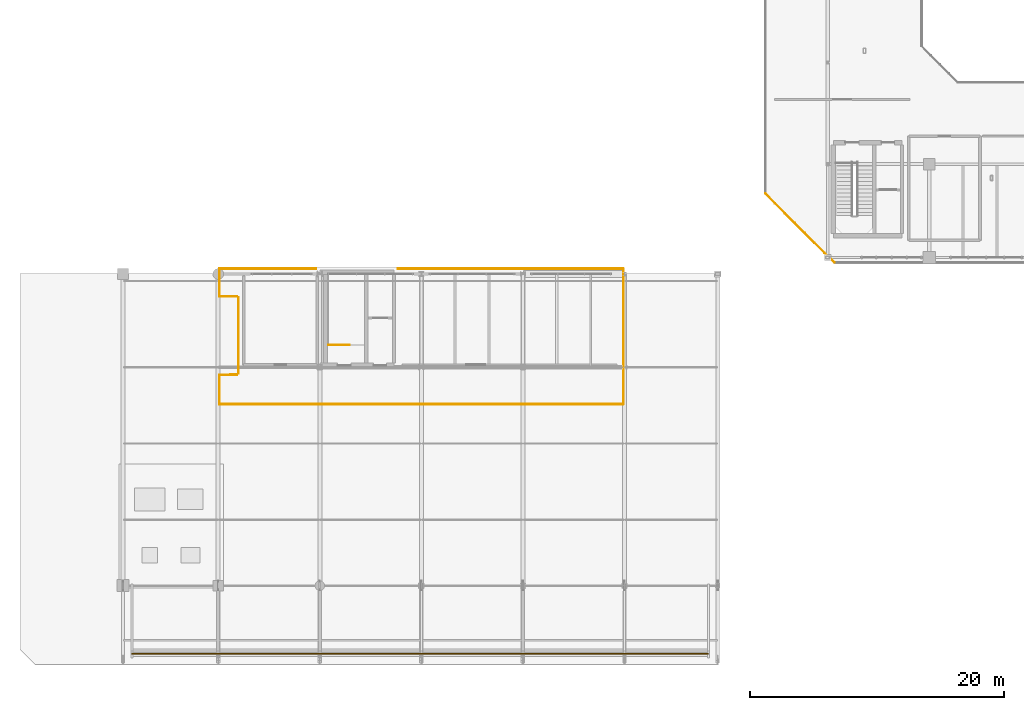
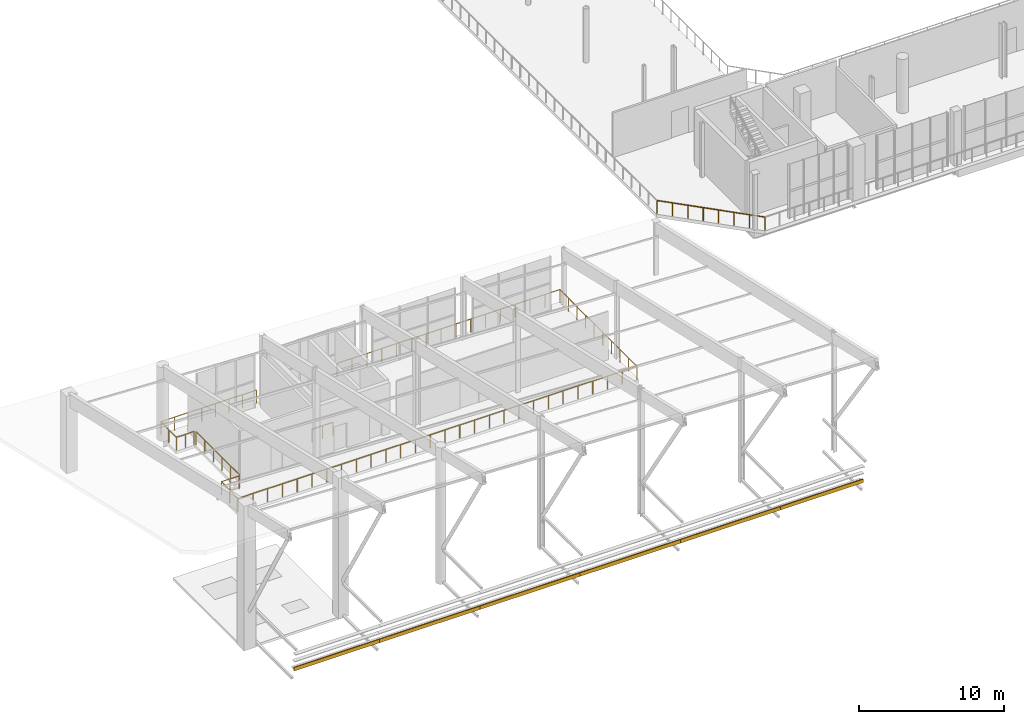
# One storey, part 45 of 51: 11 railings, 6 coverings.
"""IFC4 building model written with IfcOpenShell, lengths in metres."""

from ifc_helpers import new_model, si_unit, direction, frame, origin, origin_2d, place, context, subcontext, project, spatial, rectangle, circle, extrude, material, layer, layer_set, type_object, element, save


model = new_model("IFC4")

# Units and contexts
model_context = context("Model", 3, precision=1e-05, world=origin(), true_north=direction((0.0, 1.0)))
body_context = subcontext(model_context, "Body", "Model", "MODEL_VIEW")
ifc_project = project(units=[si_unit("LENGTHUNIT", "METRE"), si_unit("AREAUNIT", "SQUARE_METRE"), si_unit("VOLUMEUNIT", "CUBIC_METRE"), si_unit("PLANEANGLEUNIT", "RADIAN"), si_unit("MASSUNIT", "GRAM", prefix="KILO")], contexts=[model_context])

# Site, building, storey
site_placement = place(None, origin())
site = spatial("IfcSite", under=ifc_project, at=site_placement, CompositionType="ELEMENT")
building_placement = place(site_placement, origin())
building = spatial("IfcBuilding", under=site, at=building_placement, Name="Brisemont Oceanarium", CompositionType="ELEMENT")
storey_placement = place(building_placement, frame((0.0, 0.0, 15.0)))
storey = spatial("IfcBuildingStorey", under=building, at=storey_placement, Name="L03", CompositionType="ELEMENT", Elevation=15.0)

# Coverings
ifc_material_1 = material(Name="Architectural Bronze-Anodized Cedar Composite")
ifc_layer = layer(ifc_material_1, 0.044921875)
ifc_layer_set = layer_set([ifc_layer], Name="Architectural Bronze-Anodized Cedar Composite")
covering_type = type_object("IfcCoveringType", Name="COV-CLAD-CEDAR", PredefinedType="CLADDING", material=ifc_layer_set)
covering_1_placement = place(storey_placement, frame((12.60009765625, 1.4501953125, 0.8798828125), z_axis=(0.0, 0.0, 1.0), x_axis=(1.0, 0.0, 0.0)))
element("IfcCovering", 1, at=covering_1_placement, inside=storey, type_object=covering_type, Name="V2 stepped spandrel cladding course 6.1", PredefinedType="CLADDING", context=body_context, shape_type="SweptSolid", body=[
    extrude(rectangle(XDim=6.800048828125, YDim=0.080078125, at=origin_2d()), origin(), (0.0, 0.0, 1.0), 0.300048828125),
])
for number, where, z_axis, x_axis, name in (
    (2, (20.0, 1.4501953125, 0.8798828125), (0.0, 0.0, 1.0), (1.0, 0.0, 0.0), "V2 stepped spandrel cladding course 6.2"),
    (3, (28.0, 1.4501953125, 0.8798828125), (0.0, 0.0, 1.0), (1.0, 0.0, 0.0), "V2 stepped spandrel cladding course 6.3"),
    (4, (36.0, 1.4501953125, 0.8798828125), (0.0, 0.0, 1.0), (1.0, 0.0, 0.0), "V2 stepped spandrel cladding course 6.4"),
    (5, (44.0, 1.4501953125, 0.8798828125), (0.0, 0.0, 1.0), (1.0, 0.0, 0.0), "V2 stepped spandrel cladding course 6.5"),
):
    element("IfcCovering", number, at=place(storey_placement, frame(where, z_axis=z_axis, x_axis=x_axis)), inside=storey, type_object=covering_type, Name=name, PredefinedType="CLADDING", context=body_context, shape_type="SweptSolid", body=[
        extrude(rectangle(XDim=8.0, YDim=0.080078125, at=origin_2d()), origin(), (0.0, 0.0, 1.0), 0.300048828125),
    ])
covering_2_placement = place(storey_placement, frame((51.300048828125, 1.4501953125, 0.8798828125), z_axis=(0.0, 0.0, 1.0), x_axis=(1.0, 0.0, 0.0)))
element("IfcCovering", 6, at=covering_2_placement, inside=storey, type_object=covering_type, Name="V2 stepped spandrel cladding course 6.6", PredefinedType="CLADDING", context=body_context, shape_type="SweptSolid", body=[
    extrude(rectangle(XDim=6.60009765625, YDim=0.080078125, at=origin_2d()), origin(), (0.0, 0.0, 1.0), 0.300048828125),
])

# Railings
ifc_material_2 = material(Name="Duplex Stainless Steel EN 1.4462", Category="steel")
railing_type = type_object("IfcRailingType", Name="RLG-GUARD-1120", PredefinedType="GUARDRAIL", material=ifc_material_2)
railing_1_placement = place(storey_placement, frame((24.669921875, 25.760009765625, 0.0)))
element("IfcRailing", 7, at=railing_1_placement, inside=storey, type_object=railing_type, Name="ST-03 L03 landing edge guard", PredefinedType="GUARDRAIL", context=body_context, shape_type="SweptSolid", body=[
    extrude(circle(Radius=0.02392578125, at=origin_2d()), frame((0.0, 0.0, 1.09619140625), z_axis=(1.0, 0.0, 0.0), x_axis=(0.0, 1.0, 0.0)), (0.0, 0.0, 1.0), 1.68017578125),
    extrude(circle(Radius=0.02099609375, at=origin_2d()), origin(), (0.0, 0.0, 1.0), 1.072021484375),
    extrude(circle(Radius=0.02099609375, at=origin_2d()), frame((0.840087890625, 0.0, 0.0)), (0.0, 0.0, 1.0), 1.072021484375),
    extrude(circle(Radius=0.02099609375, at=origin_2d()), frame((1.68017578125, 0.0, 0.0)), (0.0, 0.0, 1.0), 1.072021484375),
])
railing_2_placement = place(storey_placement, frame((64.537353515625, 32.239990234375, 0.0)))
element("IfcRailing", 8, at=railing_2_placement, inside=storey, type_object=railing_type, Name="L03 slab perimeter safety guard 216", PredefinedType="GUARDRAIL", context=body_context, shape_type="SweptSolid", body=[
    extrude(circle(Radius=0.02392578125, at=origin_2d()), frame((0.0, 0.0, 1.09619140625), z_axis=(-0.707106781187, 0.707106781187, 0.0), x_axis=(-0.707106781187, -0.707106781187, 0.0)), (0.0, 0.0, 1.0), 7.70361328125),
    extrude(circle(Radius=0.02099609375, at=origin_2d()), origin(), (0.0, 0.0, 1.0), 1.072021484375),
    extrude(circle(Radius=0.02099609375, at=origin_2d()), frame((-0.778076171875, 0.778076171875, 0.0)), (0.0, 0.0, 1.0), 1.072021484375),
    extrude(circle(Radius=0.02099609375, at=origin_2d()), frame((-1.556396484375, 1.556396484375, 0.0)), (0.0, 0.0, 1.0), 1.072021484375),
    extrude(circle(Radius=0.02099609375, at=origin_2d()), frame((-2.33447265625, 2.33447265625, 0.0)), (0.0, 0.0, 1.0), 1.072021484375),
    extrude(circle(Radius=0.02099609375, at=origin_2d()), frame((-3.11279296875, 3.11279296875, 0.0)), (0.0, 0.0, 1.0), 1.072021484375),
    extrude(circle(Radius=0.02099609375, at=origin_2d()), frame((-3.890869140625, 3.890869140625, 0.0)), (0.0, 0.0, 1.0), 1.072021484375),
    extrude(circle(Radius=0.02099609375, at=origin_2d()), frame((-4.669189453125, 4.669189453125, 0.0)), (0.0, 0.0, 1.0), 1.072021484375),
    extrude(circle(Radius=0.02099609375, at=origin_2d()), frame((-5.447265625, 5.447265625, 0.0)), (0.0, 0.0, 1.0), 1.072021484375),
])
railing_3_placement = place(storey_placement, frame((16.090087890625, 21.090087890625, 0.0)))
element("IfcRailing", 9, at=railing_3_placement, inside=storey, type_object=railing_type, Name="L03 slab perimeter safety guard 225", PredefinedType="GUARDRAIL", context=body_context, shape_type="SweptSolid", body=[
    extrude(circle(Radius=0.02392578125, at=origin_2d()), frame((0.0, 0.0, 1.09619140625), z_axis=(0.0, 1.0, 0.0), x_axis=(-1.0, 0.0, 0.0)), (0.0, 0.0, 1.0), 2.3193359375),
    extrude(circle(Radius=0.02099609375, at=origin_2d()), origin(), (0.0, 0.0, 1.0), 1.072021484375),
    extrude(circle(Radius=0.02099609375, at=origin_2d()), frame((0.0, 1.15966796875, 0.0)), (0.0, 0.0, 1.0), 1.072021484375),
    extrude(circle(Radius=0.02099609375, at=origin_2d()), frame((0.0, 2.3193359375, 0.0)), (0.0, 0.0, 1.0), 1.072021484375),
])
railing_4_placement = place(storey_placement, frame((16.090087890625, 23.409423828125, 0.0)))
element("IfcRailing", 10, at=railing_4_placement, inside=storey, type_object=railing_type, Name="L03 slab perimeter safety guard 226", PredefinedType="GUARDRAIL", context=body_context, shape_type="SweptSolid", body=[
    extrude(circle(Radius=0.02392578125, at=origin_2d()), frame((0.0, 0.0, 1.09619140625), z_axis=(0.999999862415, 0.00052456716, 0.0), x_axis=(-0.00052456716, 0.999999862415, 0.0)), (0.0, 0.0, 1.0), 1.396240234375),
    extrude(circle(Radius=0.02099609375, at=origin_2d()), origin(), (0.0, 0.0, 1.0), 1.072021484375),
    extrude(circle(Radius=0.02099609375, at=origin_2d()), frame((0.6982421875, 0.00048828125, 0.0)), (0.0, 0.0, 1.0), 1.072021484375),
    extrude(circle(Radius=0.02099609375, at=origin_2d()), frame((1.396240234375, 0.000732421875, 0.0)), (0.0, 0.0, 1.0), 1.072021484375),
])
railing_5_placement = place(storey_placement, frame((17.590087890625, 23.52001953125, 0.0)))
element("IfcRailing", 11, at=railing_5_placement, inside=storey, type_object=railing_type, Name="L03 slab perimeter safety guard 227", PredefinedType="GUARDRAIL", context=body_context, shape_type="SweptSolid", body=[
    extrude(circle(Radius=0.02392578125, at=origin_2d()), frame((0.0, 0.0, 1.09619140625), z_axis=(-0.000245078009, 0.999999969968, 0.0), x_axis=(-0.999999969968, -0.000245078009, 0.0)), (0.0, 0.0, 1.0), 5.97705078125),
    extrude(circle(Radius=0.02099609375, at=origin_2d()), origin(), (0.0, 0.0, 1.0), 1.072021484375),
    extrude(circle(Radius=0.02099609375, at=origin_2d()), frame((-0.000244140625, 1.1953125, 0.0)), (0.0, 0.0, 1.0), 1.072021484375),
    extrude(circle(Radius=0.02099609375, at=origin_2d()), frame((-0.00048828125, 2.390869140625, 0.0)), (0.0, 0.0, 1.0), 1.072021484375),
    extrude(circle(Radius=0.02099609375, at=origin_2d()), frame((-0.0009765625, 3.586181640625, 0.0)), (0.0, 0.0, 1.0), 1.072021484375),
    extrude(circle(Radius=0.02099609375, at=origin_2d()), frame((-0.001220703125, 4.78173828125, 0.0)), (0.0, 0.0, 1.0), 1.072021484375),
    extrude(circle(Radius=0.02099609375, at=origin_2d()), frame((-0.00146484375, 5.97705078125, 0.0)), (0.0, 0.0, 1.0), 1.072021484375),
])
railing_6_placement = place(storey_placement, frame((17.486328125, 29.58984375, 0.0)))
element("IfcRailing", 12, at=railing_6_placement, inside=storey, type_object=railing_type, Name="L03 slab perimeter safety guard 228", PredefinedType="GUARDRAIL", context=body_context, shape_type="SweptSolid", body=[
    extrude(circle(Radius=0.02392578125, at=origin_2d()), frame((0.0, 0.0, 1.09619140625), z_axis=(-0.999999984702, 0.000174916912, 0.0), x_axis=(-0.000174916912, -0.999999984702, 0.0)), (0.0, 0.0, 1.0), 1.395751953125),
    extrude(circle(Radius=0.02099609375, at=origin_2d()), origin(), (0.0, 0.0, 1.0), 1.072021484375),
    extrude(circle(Radius=0.02099609375, at=origin_2d()), frame((-0.69775390625, 0.0, 0.0)), (0.0, 0.0, 1.0), 1.072021484375),
    extrude(circle(Radius=0.02099609375, at=origin_2d()), frame((-1.395751953125, 0.000244140625, 0.0)), (0.0, 0.0, 1.0), 1.072021484375),
])
railing_7_placement = place(storey_placement, frame((16.090576171875, 29.590087890625, 0.0)))
element("IfcRailing", 13, at=railing_7_placement, inside=storey, type_object=railing_type, Name="L03 slab perimeter safety guard 229", PredefinedType="GUARDRAIL", context=body_context, shape_type="SweptSolid", body=[
    extrude(circle(Radius=0.02392578125, at=origin_2d()), frame((0.0, 0.0, 1.09619140625), z_axis=(-0.000225073143, 0.999999974671, 0.0), x_axis=(-0.999999974671, -0.000225073143, 0.0)), (0.0, 0.0, 1.0), 2.16943359375),
    extrude(circle(Radius=0.02099609375, at=origin_2d()), origin(), (0.0, 0.0, 1.0), 1.072021484375),
    extrude(circle(Radius=0.02099609375, at=origin_2d()), frame((-0.000244140625, 1.084716796875, 0.0)), (0.0, 0.0, 1.0), 1.072021484375),
    extrude(circle(Radius=0.02099609375, at=origin_2d()), frame((-0.00048828125, 2.16943359375, 0.0)), (0.0, 0.0, 1.0), 1.072021484375),
])
railing_8_placement = place(storey_placement, frame((16.090087890625, 31.759521484375, 0.0)))
element("IfcRailing", 14, at=railing_8_placement, inside=storey, type_object=railing_type, Name="L03 slab perimeter safety guard 230", PredefinedType="GUARDRAIL", context=body_context, shape_type="SweptSolid", body=[
    extrude(circle(Radius=0.02392578125, at=origin_2d()), frame((0.0, 0.0, 1.09619140625), z_axis=(1.0, 0.0, 0.0), x_axis=(0.0, 1.0, 0.0)), (0.0, 0.0, 1.0), 7.61279296875),
    extrude(circle(Radius=0.02099609375, at=origin_2d()), origin(), (0.0, 0.0, 1.0), 1.072021484375),
    extrude(circle(Radius=0.02099609375, at=origin_2d()), frame((1.087646484375, 0.0, 0.0)), (0.0, 0.0, 1.0), 1.072021484375),
    extrude(circle(Radius=0.02099609375, at=origin_2d()), frame((2.175048828125, 0.0, 0.0)), (0.0, 0.0, 1.0), 1.072021484375),
    extrude(circle(Radius=0.02099609375, at=origin_2d()), frame((3.2626953125, 0.0, 0.0)), (0.0, 0.0, 1.0), 1.072021484375),
    extrude(circle(Radius=0.02099609375, at=origin_2d()), frame((4.35009765625, 0.0, 0.0)), (0.0, 0.0, 1.0), 1.072021484375),
    extrude(circle(Radius=0.02099609375, at=origin_2d()), frame((5.437744140625, 0.0, 0.0)), (0.0, 0.0, 1.0), 1.072021484375),
    extrude(circle(Radius=0.02099609375, at=origin_2d()), frame((6.525146484375, 0.0, 0.0)), (0.0, 0.0, 1.0), 1.072021484375),
    extrude(circle(Radius=0.02099609375, at=origin_2d()), frame((7.61279296875, 0.0, 0.0)), (0.0, 0.0, 1.0), 1.072021484375),
])
railing_9_placement = place(storey_placement, frame((30.14990234375, 31.759765625, 0.0)))
element("IfcRailing", 15, at=railing_9_placement, inside=storey, type_object=railing_type, Name="L03 slab perimeter safety guard 231", PredefinedType="GUARDRAIL", context=body_context, shape_type="SweptSolid", body=[
    extrude(circle(Radius=0.02392578125, at=origin_2d()), frame((0.0, 0.0, 1.09619140625), z_axis=(0.999999999906, 1.3747027e-05, 0.0), x_axis=(-1.3747027e-05, 0.999999999906, 0.0)), (0.0, 0.0, 1.0), 17.759521484375),
    extrude(circle(Radius=0.02099609375, at=origin_2d()), origin(), (0.0, 0.0, 1.0), 1.072021484375),
    extrude(circle(Radius=0.02099609375, at=origin_2d()), frame((1.18408203125, 0.0, 0.0)), (0.0, 0.0, 1.0), 1.072021484375),
    extrude(circle(Radius=0.02099609375, at=origin_2d()), frame((2.367919921875, 0.0, 0.0)), (0.0, 0.0, 1.0), 1.072021484375),
    extrude(circle(Radius=0.02099609375, at=origin_2d()), frame((3.552001953125, 0.0, 0.0)), (0.0, 0.0, 1.0), 1.072021484375),
    extrude(circle(Radius=0.02099609375, at=origin_2d()), frame((4.73583984375, 0.0, 0.0)), (0.0, 0.0, 1.0), 1.072021484375),
    extrude(circle(Radius=0.02099609375, at=origin_2d()), frame((5.919921875, 0.0, 0.0)), (0.0, 0.0, 1.0), 1.072021484375),
    extrude(circle(Radius=0.02099609375, at=origin_2d()), frame((7.103759765625, 0.0, 0.0)), (0.0, 0.0, 1.0), 1.072021484375),
    extrude(circle(Radius=0.02099609375, at=origin_2d()), frame((8.287841796875, 0.0, 0.0)), (0.0, 0.0, 1.0), 1.072021484375),
    extrude(circle(Radius=0.02099609375, at=origin_2d()), frame((9.4716796875, 0.000244140625, 0.0)), (0.0, 0.0, 1.0), 1.072021484375),
    extrude(circle(Radius=0.02099609375, at=origin_2d()), frame((10.65576171875, 0.000244140625, 0.0)), (0.0, 0.0, 1.0), 1.072021484375),
    extrude(circle(Radius=0.02099609375, at=origin_2d()), frame((11.839599609375, 0.000244140625, 0.0)), (0.0, 0.0, 1.0), 1.072021484375),
    extrude(circle(Radius=0.02099609375, at=origin_2d()), frame((13.023681640625, 0.000244140625, 0.0)), (0.0, 0.0, 1.0), 1.072021484375),
    extrude(circle(Radius=0.02099609375, at=origin_2d()), frame((14.20751953125, 0.000244140625, 0.0)), (0.0, 0.0, 1.0), 1.072021484375),
    extrude(circle(Radius=0.02099609375, at=origin_2d()), frame((15.3916015625, 0.000244140625, 0.0)), (0.0, 0.0, 1.0), 1.072021484375),
    extrude(circle(Radius=0.02099609375, at=origin_2d()), frame((16.575439453125, 0.000244140625, 0.0)), (0.0, 0.0, 1.0), 1.072021484375),
    extrude(circle(Radius=0.02099609375, at=origin_2d()), frame((17.759521484375, 0.000244140625, 0.0)), (0.0, 0.0, 1.0), 1.072021484375),
])
railing_10_placement = place(storey_placement, frame((47.909423828125, 31.760009765625, 0.0)))
element("IfcRailing", 16, at=railing_10_placement, inside=storey, type_object=railing_type, Name="L03 slab perimeter safety guard 232", PredefinedType="GUARDRAIL", context=body_context, shape_type="SweptSolid", body=[
    extrude(circle(Radius=0.02392578125, at=origin_2d()), frame((0.0, 0.0, 1.09619140625), z_axis=(4.5764496e-05, -0.999999998953, 0.0), x_axis=(0.999999998953, 4.5764496e-05, 0.0)), (0.0, 0.0, 1.0), 10.66943359375),
    extrude(circle(Radius=0.02099609375, at=origin_2d()), origin(), (0.0, 0.0, 1.0), 1.072021484375),
    extrude(circle(Radius=0.02099609375, at=origin_2d()), frame((0.0, -1.185546875, 0.0)), (0.0, 0.0, 1.0), 1.072021484375),
    extrude(circle(Radius=0.02099609375, at=origin_2d()), frame((0.0, -2.37109375, 0.0)), (0.0, 0.0, 1.0), 1.072021484375),
    extrude(circle(Radius=0.02099609375, at=origin_2d()), frame((0.000244140625, -3.556396484375, 0.0)), (0.0, 0.0, 1.0), 1.072021484375),
    extrude(circle(Radius=0.02099609375, at=origin_2d()), frame((0.000244140625, -4.741943359375, 0.0)), (0.0, 0.0, 1.0), 1.072021484375),
    extrude(circle(Radius=0.02099609375, at=origin_2d()), frame((0.000244140625, -5.927490234375, 0.0)), (0.0, 0.0, 1.0), 1.072021484375),
    extrude(circle(Radius=0.02099609375, at=origin_2d()), frame((0.000244140625, -7.113037109375, 0.0)), (0.0, 0.0, 1.0), 1.072021484375),
    extrude(circle(Radius=0.02099609375, at=origin_2d()), frame((0.00048828125, -8.29833984375, 0.0)), (0.0, 0.0, 1.0), 1.072021484375),
    extrude(circle(Radius=0.02099609375, at=origin_2d()), frame((0.00048828125, -9.48388671875, 0.0)), (0.0, 0.0, 1.0), 1.072021484375),
    extrude(circle(Radius=0.02099609375, at=origin_2d()), frame((0.00048828125, -10.66943359375, 0.0)), (0.0, 0.0, 1.0), 1.072021484375),
])
railing_11_placement = place(storey_placement, frame((47.909912109375, 21.090576171875, 0.0)))
element("IfcRailing", 17, at=railing_11_placement, inside=storey, type_object=railing_type, Name="L03 slab perimeter safety guard 233", PredefinedType="GUARDRAIL", context=body_context, shape_type="SweptSolid", body=[
    extrude(circle(Radius=0.02392578125, at=origin_2d()), frame((0.0, 0.0, 1.09619140625), z_axis=(-0.999999999882, -1.534519e-05, 0.0), x_axis=(1.534519e-05, -0.999999999882, 0.0)), (0.0, 0.0, 1.0), 31.81982421875),
    extrude(circle(Radius=0.02099609375, at=origin_2d()), origin(), (0.0, 0.0, 1.0), 1.072021484375),
    extrude(circle(Radius=0.02099609375, at=origin_2d()), frame((-1.178466796875, 0.0, 0.0)), (0.0, 0.0, 1.0), 1.072021484375),
    extrude(circle(Radius=0.02099609375, at=origin_2d()), frame((-2.35693359375, 0.0, 0.0)), (0.0, 0.0, 1.0), 1.072021484375),
    extrude(circle(Radius=0.02099609375, at=origin_2d()), frame((-3.53564453125, 0.0, 0.0)), (0.0, 0.0, 1.0), 1.072021484375),
    extrude(circle(Radius=0.02099609375, at=origin_2d()), frame((-4.714111328125, 0.0, 0.0)), (0.0, 0.0, 1.0), 1.072021484375),
    extrude(circle(Radius=0.02099609375, at=origin_2d()), frame((-5.892578125, 0.0, 0.0)), (0.0, 0.0, 1.0), 1.072021484375),
    extrude(circle(Radius=0.02099609375, at=origin_2d()), frame((-7.071044921875, 0.0, 0.0)), (0.0, 0.0, 1.0), 1.072021484375),
    extrude(circle(Radius=0.02099609375, at=origin_2d()), frame((-8.24951171875, -0.000244140625, 0.0)), (0.0, 0.0, 1.0), 1.072021484375),
    extrude(circle(Radius=0.02099609375, at=origin_2d()), frame((-9.427978515625, -0.000244140625, 0.0)), (0.0, 0.0, 1.0), 1.072021484375),
    extrude(circle(Radius=0.02099609375, at=origin_2d()), frame((-10.606689453125, -0.000244140625, 0.0)), (0.0, 0.0, 1.0), 1.072021484375),
    extrude(circle(Radius=0.02099609375, at=origin_2d()), frame((-11.78515625, -0.000244140625, 0.0)), (0.0, 0.0, 1.0), 1.072021484375),
    extrude(circle(Radius=0.02099609375, at=origin_2d()), frame((-12.963623046875, -0.000244140625, 0.0)), (0.0, 0.0, 1.0), 1.072021484375),
    extrude(circle(Radius=0.02099609375, at=origin_2d()), frame((-14.14208984375, -0.000244140625, 0.0)), (0.0, 0.0, 1.0), 1.072021484375),
    extrude(circle(Radius=0.02099609375, at=origin_2d()), frame((-15.320556640625, -0.000244140625, 0.0)), (0.0, 0.0, 1.0), 1.072021484375),
    extrude(circle(Radius=0.02099609375, at=origin_2d()), frame((-16.499267578125, -0.000244140625, 0.0)), (0.0, 0.0, 1.0), 1.072021484375),
    extrude(circle(Radius=0.02099609375, at=origin_2d()), frame((-17.677734375, -0.000244140625, 0.0)), (0.0, 0.0, 1.0), 1.072021484375),
    extrude(circle(Radius=0.02099609375, at=origin_2d()), frame((-18.856201171875, -0.000244140625, 0.0)), (0.0, 0.0, 1.0), 1.072021484375),
    extrude(circle(Radius=0.02099609375, at=origin_2d()), frame((-20.03466796875, -0.000244140625, 0.0)), (0.0, 0.0, 1.0), 1.072021484375),
    extrude(circle(Radius=0.02099609375, at=origin_2d()), frame((-21.213134765625, -0.000244140625, 0.0)), (0.0, 0.0, 1.0), 1.072021484375),
    extrude(circle(Radius=0.02099609375, at=origin_2d()), frame((-22.391845703125, -0.000244140625, 0.0)), (0.0, 0.0, 1.0), 1.072021484375),
    extrude(circle(Radius=0.02099609375, at=origin_2d()), frame((-23.5703125, -0.000244140625, 0.0)), (0.0, 0.0, 1.0), 1.072021484375),
    extrude(circle(Radius=0.02099609375, at=origin_2d()), frame((-24.748779296875, -0.00048828125, 0.0)), (0.0, 0.0, 1.0), 1.072021484375),
    extrude(circle(Radius=0.02099609375, at=origin_2d()), frame((-25.92724609375, -0.00048828125, 0.0)), (0.0, 0.0, 1.0), 1.072021484375),
    extrude(circle(Radius=0.02099609375, at=origin_2d()), frame((-27.105712890625, -0.00048828125, 0.0)), (0.0, 0.0, 1.0), 1.072021484375),
    extrude(circle(Radius=0.02099609375, at=origin_2d()), frame((-28.2841796875, -0.00048828125, 0.0)), (0.0, 0.0, 1.0), 1.072021484375),
    extrude(circle(Radius=0.02099609375, at=origin_2d()), frame((-29.462890625, -0.00048828125, 0.0)), (0.0, 0.0, 1.0), 1.072021484375),
    extrude(circle(Radius=0.02099609375, at=origin_2d()), frame((-30.641357421875, -0.00048828125, 0.0)), (0.0, 0.0, 1.0), 1.072021484375),
    extrude(circle(Radius=0.02099609375, at=origin_2d()), frame((-31.81982421875, -0.00048828125, 0.0)), (0.0, 0.0, 1.0), 1.072021484375),
])

save(model, "model.ifc")
